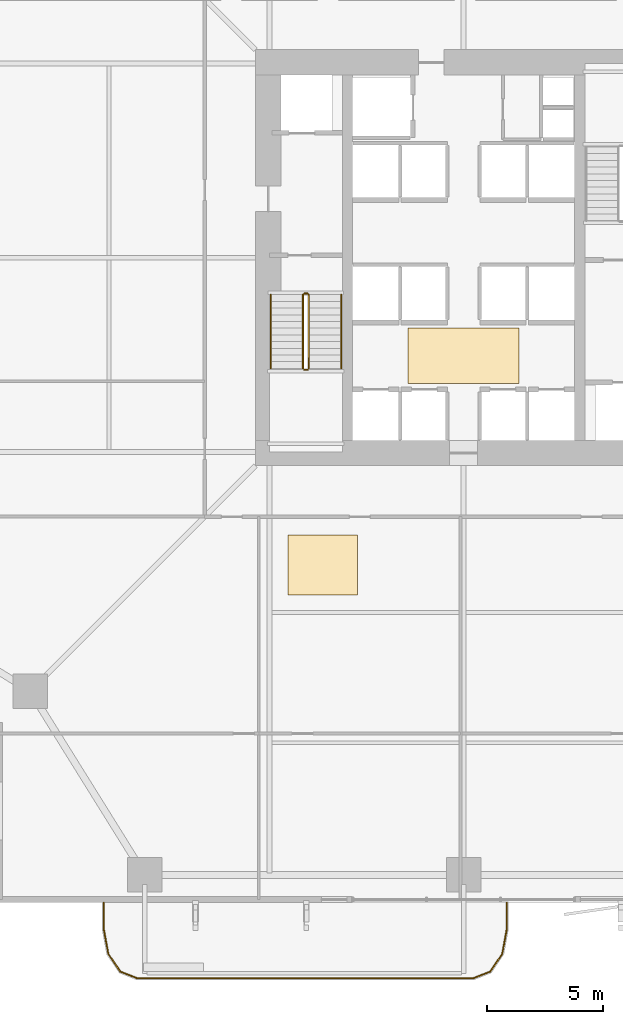
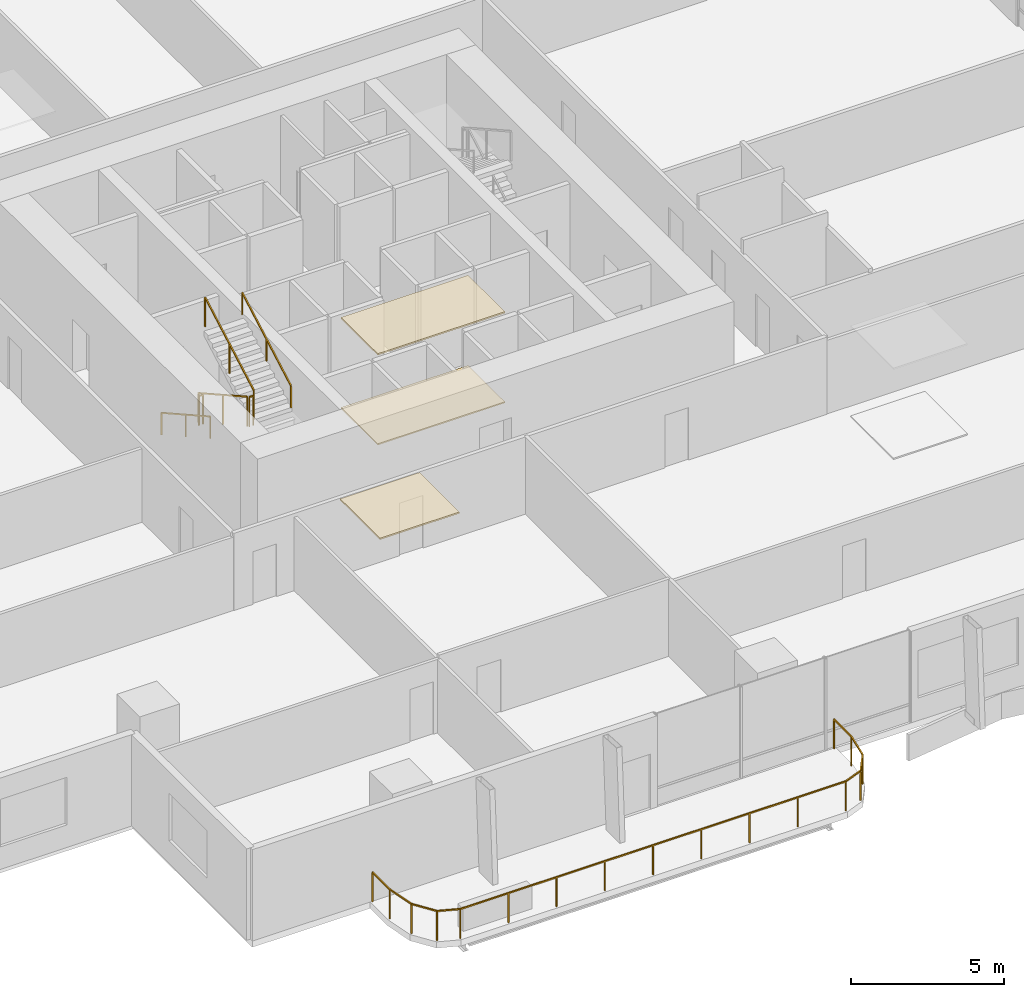
# One storey, part 21 of 23: 7 railings, 3 coverings.
"""IFC4 building model written with IfcOpenShell, lengths in metres."""

from ifc_helpers import new_model, si_unit, direction, frame, origin, origin_2d, place, context, subcontext, project, spatial, polyline, rectangle, outline, extrude, material, layer, layer_set, type_object, element, save


model = new_model("IFC4")

# Units and contexts
model_context = context("Model", 3, precision=1e-05, world=origin(), true_north=direction((0.0, 1.0)))
body_context = subcontext(model_context, "Body", "Model", "MODEL_VIEW")
ifc_project = project(units=[si_unit("LENGTHUNIT", "METRE"), si_unit("AREAUNIT", "SQUARE_METRE"), si_unit("VOLUMEUNIT", "CUBIC_METRE"), si_unit("PLANEANGLEUNIT", "RADIAN"), si_unit("MASSUNIT", "GRAM", prefix="KILO")], contexts=[model_context])

# Site, building, storey
site_placement = place(None, origin())
site = spatial("IfcSite", under=ifc_project, at=site_placement, CompositionType="ELEMENT")
building_placement = place(site_placement, origin())
building = spatial("IfcBuilding", under=site, at=building_placement, Name="Belovzor Exchange Tower", CompositionType="ELEMENT")
storey_placement = place(building_placement, frame((0.0, 0.0, 88.5)))
storey = spatial("IfcBuildingStorey", under=building, at=storey_placement, Name="L21", CompositionType="ELEMENT", Elevation=88.5)

# Railings
ifc_material_1 = material(Name="Stainless Steel Grade 304", Category="steel")
railing_type_1 = type_object("IfcRailingType", Name="Brushed Stainless Steel Stair Handrail 900", PredefinedType="HANDRAIL", material=ifc_material_1)
railing_1_placement = place(storey_placement, frame((20.449951171875, 27.199951171875, 0.16259765625)))
element("IfcRailing", 1, at=railing_1_placement, inside=storey, type_object=railing_type_1, Name="L21 ST-1 stair handrail 1", PredefinedType="HANDRAIL", context=body_context, shape_type="SweptSolid", body=[
    extrude(rectangle(XDim=0.048095703125, YDim=0.048095703125, at=origin_2d()), frame((0.0, 0.0, 0.8759765625), z_axis=(0.0, -0.872390997893, 0.488808701636), x_axis=(1.0, 0.0, 0.0)), (0.0, 0.0, 1.0), 3.656494140625),
    extrude(rectangle(XDim=0.0419921875, YDim=0.0419921875, at=origin_2d()), origin(), (0.0, 0.0, 1.0), 0.851806640625),
    extrude(rectangle(XDim=0.0419921875, YDim=0.0419921875, at=origin_2d()), frame((0.0, -1.594970703125, 0.8935546875)), (0.0, 0.0, 1.0), 0.851806640625),
    extrude(rectangle(XDim=0.0419921875, YDim=0.0419921875, at=origin_2d()), frame((0.0, -3.18994140625, 1.787353515625)), (0.0, 0.0, 1.0), 0.851806640625),
])
railing_2_placement = place(storey_placement, frame((23.5, 24.010009765625, 2.112548828125)))
element("IfcRailing", 2, at=railing_2_placement, inside=storey, type_object=railing_type_1, Name="L21 ST-1 stair handrail 2", PredefinedType="HANDRAIL", context=body_context, shape_type="SweptSolid", body=[
    extrude(rectangle(XDim=0.048095703125, YDim=0.048095703125, at=origin_2d()), frame((0.0, 0.0, 0.8759765625), z_axis=(0.0, 0.872390997893, 0.488808701636), x_axis=(-1.0, 0.0, 0.0)), (0.0, 0.0, 1.0), 3.656494140625),
    extrude(rectangle(XDim=0.0419921875, YDim=0.0419921875, at=origin_2d()), origin(), (0.0, 0.0, 1.0), 0.851806640625),
    extrude(rectangle(XDim=0.0419921875, YDim=0.0419921875, at=origin_2d()), frame((0.0, 1.594970703125, 0.8935546875)), (0.0, 0.0, 1.0), 0.851806640625),
    extrude(rectangle(XDim=0.0419921875, YDim=0.0419921875, at=origin_2d()), frame((0.0, 3.18994140625, 1.787353515625)), (0.0, 0.0, 1.0), 0.851806640625),
])
ifc_material_2 = material(Name="Stainless Steel and Laminated Safety Glass", Category="steel")
railing_type_2 = type_object("IfcRailingType", Name="Laminated Glass & Stainless Steel Balcony Balustrade 1200", PredefinedType="BALUSTRADE", material=ifc_material_2)
railing_3_placement = place(storey_placement, frame((13.22998046875, 0.889892578125, 0.0)))
element("IfcRailing", 3, at=railing_3_placement, inside=storey, type_object=railing_type_2, Name="GR-1 Balcony Balustrade L21 South", PredefinedType="BALUSTRADE", context=body_context, shape_type="SweptSolid", body=[
    extrude(rectangle(XDim=0.048095703125, YDim=0.048095703125, at=origin_2d()), frame((0.0, 0.0, 1.17578125), z_axis=(0.0, -1.0, 0.0), x_axis=(1.0, 0.0, 0.0)), (0.0, 0.0, 1.0), 1.1328125),
    extrude(rectangle(XDim=0.048095703125, YDim=0.048095703125, at=origin_2d()), frame((0.0, -1.1328125, 1.17578125), z_axis=(0.180083182347, -0.983651385113, 0.0), x_axis=(0.983651385113, 0.180083182347, 0.0)), (0.0, 0.0, 1.0), 1.093994140625),
    extrude(rectangle(XDim=0.048095703125, YDim=0.048095703125, at=origin_2d()), frame((0.197021484375, -2.208984375, 1.17578125), z_axis=(0.562768145367, -0.826614792125, 0.0), x_axis=(0.826614792125, 0.562768145367, 0.0)), (0.0, 0.0, 1.0), 0.9326171875),
    extrude(rectangle(XDim=0.048095703125, YDim=0.048095703125, at=origin_2d()), frame((0.721923828125, -2.97998046875, 1.17578125), z_axis=(0.930809580156, -0.365504480807, 0.0), x_axis=(0.365504480807, 0.930809580156, 0.0)), (0.0, 0.0, 1.0), 0.76611328125),
    extrude(rectangle(XDim=0.048095703125, YDim=0.048095703125, at=origin_2d()), frame((1.43505859375, -3.260009765625, 1.17578125), z_axis=(1.0, 0.0, 0.0), x_axis=(0.0, 1.0, 0.0)), (0.0, 0.0, 1.0), 14.570068359375),
    extrude(rectangle(XDim=0.048095703125, YDim=0.048095703125, at=origin_2d()), frame((16.005126953125, -3.260009765625, 1.17578125), z_axis=(0.930766990125, 0.365612923861, 0.0), x_axis=(-0.365612923861, 0.930766990125, 0.0)), (0.0, 0.0, 1.0), 0.765869140625),
    extrude(rectangle(XDim=0.048095703125, YDim=0.048095703125, at=origin_2d()), frame((16.718017578125, -2.97998046875, 1.17578125), z_axis=(0.562768145367, 0.826614792125, 0.0), x_axis=(-0.826614792125, 0.562768145367, 0.0)), (0.0, 0.0, 1.0), 0.9326171875),
    extrude(rectangle(XDim=0.048095703125, YDim=0.048095703125, at=origin_2d()), frame((17.242919921875, -2.208984375, 1.17578125), z_axis=(0.180083182347, 0.983651385113, 0.0), x_axis=(-0.983651385113, 0.180083182347, 0.0)), (0.0, 0.0, 1.0), 1.093994140625),
    extrude(rectangle(XDim=0.048095703125, YDim=0.048095703125, at=origin_2d()), frame((17.43994140625, -1.1328125, 1.17578125), z_axis=(0.0, 1.0, 0.0), x_axis=(-1.0, 0.0, 0.0)), (0.0, 0.0, 1.0), 1.1328125),
    extrude(rectangle(XDim=0.0419921875, YDim=0.0419921875, at=origin_2d()), origin(), (0.0, 0.0, 1.0), 1.15185546875),
    extrude(rectangle(XDim=0.0419921875, YDim=0.0419921875, at=origin_2d()), frame((0.0, -1.1328125, 0.0)), (0.0, 0.0, 1.0), 1.15185546875),
    extrude(rectangle(XDim=0.0419921875, YDim=0.0419921875, at=origin_2d()), frame((0.197021484375, -2.208984375, 0.0)), (0.0, 0.0, 1.0), 1.15185546875),
    extrude(rectangle(XDim=0.0419921875, YDim=0.0419921875, at=origin_2d()), frame((0.721923828125, -2.97998046875, 0.0)), (0.0, 0.0, 1.0), 1.15185546875),
    extrude(rectangle(XDim=0.0419921875, YDim=0.0419921875, at=origin_2d()), frame((1.43505859375, -3.260009765625, 0.0)), (0.0, 0.0, 1.0), 1.15185546875),
    extrude(rectangle(XDim=0.0419921875, YDim=0.0419921875, at=origin_2d()), frame((3.25634765625, -3.260009765625, 0.0)), (0.0, 0.0, 1.0), 1.15185546875),
    extrude(rectangle(XDim=0.0419921875, YDim=0.0419921875, at=origin_2d()), frame((5.07763671875, -3.260009765625, 0.0)), (0.0, 0.0, 1.0), 1.15185546875),
    extrude(rectangle(XDim=0.0419921875, YDim=0.0419921875, at=origin_2d()), frame((6.89892578125, -3.260009765625, 0.0)), (0.0, 0.0, 1.0), 1.15185546875),
    extrude(rectangle(XDim=0.0419921875, YDim=0.0419921875, at=origin_2d()), frame((8.72021484375, -3.260009765625, 0.0)), (0.0, 0.0, 1.0), 1.15185546875),
    extrude(rectangle(XDim=0.0419921875, YDim=0.0419921875, at=origin_2d()), frame((10.541259765625, -3.260009765625, 0.0)), (0.0, 0.0, 1.0), 1.15185546875),
    extrude(rectangle(XDim=0.0419921875, YDim=0.0419921875, at=origin_2d()), frame((12.362548828125, -3.260009765625, 0.0)), (0.0, 0.0, 1.0), 1.15185546875),
    extrude(rectangle(XDim=0.0419921875, YDim=0.0419921875, at=origin_2d()), frame((14.183837890625, -3.260009765625, 0.0)), (0.0, 0.0, 1.0), 1.15185546875),
    extrude(rectangle(XDim=0.0419921875, YDim=0.0419921875, at=origin_2d()), frame((16.005126953125, -3.260009765625, 0.0)), (0.0, 0.0, 1.0), 1.15185546875),
    extrude(rectangle(XDim=0.0419921875, YDim=0.0419921875, at=origin_2d()), frame((16.718017578125, -2.97998046875, 0.0)), (0.0, 0.0, 1.0), 1.15185546875),
    extrude(rectangle(XDim=0.0419921875, YDim=0.0419921875, at=origin_2d()), frame((17.242919921875, -2.208984375, 0.0)), (0.0, 0.0, 1.0), 1.15185546875),
    extrude(rectangle(XDim=0.0419921875, YDim=0.0419921875, at=origin_2d()), frame((17.43994140625, -1.1328125, 0.0)), (0.0, 0.0, 1.0), 1.15185546875),
    extrude(rectangle(XDim=0.0419921875, YDim=0.0419921875, at=origin_2d()), frame((17.43994140625, 0.0, 0.0)), (0.0, 0.0, 1.0), 1.15185546875),
])
ifc_material_3 = material(Name="Steel S355", Category="steel")
railing_type_3 = type_object("IfcRailingType", Name="Painted Steel Stairwell Guardrail 1200", PredefinedType="GUARDRAIL", material=ifc_material_3)
railing_4_placement = place(storey_placement, frame((21.85009765625, 27.199951171875, 0.16259765625)))
element("IfcRailing", 4, at=railing_4_placement, inside=storey, type_object=railing_type_3, Name="L21 ST-1 stair guard 1", PredefinedType="GUARDRAIL", context=body_context, shape_type="SweptSolid", body=[
    extrude(rectangle(XDim=0.048095703125, YDim=0.048095703125, at=origin_2d()), frame((0.0, 0.0, 1.17578125), z_axis=(0.0, -0.872390997893, 0.488808701636), x_axis=(1.0, 0.0, 0.0)), (0.0, 0.0, 1.0), 3.656494140625),
    extrude(rectangle(XDim=0.0419921875, YDim=0.0419921875, at=origin_2d()), origin(), (0.0, 0.0, 1.0), 1.15185546875),
    extrude(rectangle(XDim=0.0419921875, YDim=0.0419921875, at=origin_2d()), frame((0.0, -1.594970703125, 0.8935546875)), (0.0, 0.0, 1.0), 1.15185546875),
    extrude(rectangle(XDim=0.0419921875, YDim=0.0419921875, at=origin_2d()), frame((0.0, -3.18994140625, 1.787353515625)), (0.0, 0.0, 1.0), 1.15185546875),
])
railing_5_placement = place(storey_placement, frame((21.89990234375, 23.9599609375, 1.949951171875)))
element("IfcRailing", 5, at=railing_5_placement, inside=storey, type_object=railing_type_3, Name="L21 ST-1 stair guard 2", PredefinedType="GUARDRAIL", context=body_context, shape_type="SweptSolid", body=[
    extrude(rectangle(XDim=0.048095703125, YDim=0.048095703125, at=origin_2d()), frame((0.0, 0.0, 1.17578125), z_axis=(1.0, 0.0, 0.0), x_axis=(0.0, 1.0, 0.0)), (0.0, 0.0, 1.0), 0.150146484375),
    extrude(rectangle(XDim=0.0419921875, YDim=0.0419921875, at=origin_2d()), origin(), (0.0, 0.0, 1.0), 1.15185546875),
    extrude(rectangle(XDim=0.0419921875, YDim=0.0419921875, at=origin_2d()), frame((0.150146484375, 0.0, 0.0)), (0.0, 0.0, 1.0), 1.15185546875),
])
railing_6_placement = place(storey_placement, frame((22.10009765625, 24.010009765625, 2.112548828125)))
element("IfcRailing", 6, at=railing_6_placement, inside=storey, type_object=railing_type_3, Name="L21 ST-1 stair guard 3", PredefinedType="GUARDRAIL", context=body_context, shape_type="SweptSolid", body=[
    extrude(rectangle(XDim=0.048095703125, YDim=0.048095703125, at=origin_2d()), frame((0.0, 0.0, 1.17578125), z_axis=(0.0, 0.872390997893, 0.488808701636), x_axis=(-1.0, 0.0, 0.0)), (0.0, 0.0, 1.0), 3.656494140625),
    extrude(rectangle(XDim=0.0419921875, YDim=0.0419921875, at=origin_2d()), origin(), (0.0, 0.0, 1.0), 1.15185546875),
    extrude(rectangle(XDim=0.0419921875, YDim=0.0419921875, at=origin_2d()), frame((0.0, 1.594970703125, 0.8935546875)), (0.0, 0.0, 1.0), 1.15185546875),
    extrude(rectangle(XDim=0.0419921875, YDim=0.0419921875, at=origin_2d()), frame((0.0, 3.18994140625, 1.787353515625)), (0.0, 0.0, 1.0), 1.15185546875),
])
railing_7_placement = place(storey_placement, frame((21.89990234375, 27.25, 0.0)))
element("IfcRailing", 7, at=railing_7_placement, inside=storey, type_object=railing_type_3, Name="L21 ST-1 stair guard 4", PredefinedType="GUARDRAIL", context=body_context, shape_type="SweptSolid", body=[
    extrude(rectangle(XDim=0.048095703125, YDim=0.048095703125, at=origin_2d()), frame((0.0, 0.0, 1.17578125), z_axis=(1.0, 0.0, 0.0), x_axis=(0.0, 1.0, 0.0)), (0.0, 0.0, 1.0), 0.150146484375),
    extrude(rectangle(XDim=0.0419921875, YDim=0.0419921875, at=origin_2d()), origin(), (0.0, 0.0, 1.0), 1.15185546875),
    extrude(rectangle(XDim=0.0419921875, YDim=0.0419921875, at=origin_2d()), frame((0.150146484375, 0.0, 0.0)), (0.0, 0.0, 1.0), 1.15185546875),
])

# Coverings
ifc_material_4 = material(Name="Perforated Powder-Coated Aluminium", Category="aluminium")
ifc_layer_1 = layer(ifc_material_4, 0.06005859375)
ifc_layer_set_1 = layer_set([ifc_layer_1], Name="Perforated Powder-Coated Aluminium")
covering_type_1 = type_object("IfcCoveringType", Name="Perforated Acoustic Metal Tile Suspended Ceiling 60", PredefinedType="CEILING", material=ifc_layer_set_1)
covering_1_placement = place(storey_placement, frame((0.0, 0.0, 3.590087890625)))
element("IfcCovering", 8, at=covering_1_placement, inside=storey, type_object=covering_type_1, Name="CLG-AC60 Suspended Ceiling CLG-L21-LOB", PredefinedType="CEILING", context=body_context, shape_type="SweptSolid", body=[
    extrude(outline(polyline([(26.39990234375, 23.35009765625), (31.199951171875, 23.35009765625), (31.199951171875, 25.75), (26.39990234375, 25.75), (26.39990234375, 23.35009765625)])), origin(), (0.0, 0.0, 1.0), 0.059814453125),
])
covering_2_placement = place(storey_placement, frame((0.0, 0.0, 3.590087890625)))
element("IfcCovering", 9, at=covering_2_placement, inside=storey, type_object=covering_type_1, Name="CLG-AC60 Suspended Ceiling CLG-L21-Z0", PredefinedType="CEILING", context=body_context, shape_type="SweptSolid", body=[
    extrude(outline(polyline([(21.199951171875, 14.199951171875), (24.199951171875, 14.199951171875), (24.199951171875, 16.800048828125), (21.199951171875, 16.800048828125), (21.199951171875, 14.199951171875)])), origin(), (0.0, 0.0, 1.0), 0.059814453125),
])
ifc_material_5 = material(Name="Polished Natural Granite Tile", Category="masonry")
ifc_layer_2 = layer(ifc_material_5, 0.050048828125)
ifc_layer_set_2 = layer_set([ifc_layer_2], Name="Polished Natural Granite Tile")
covering_type_2 = type_object("IfcCoveringType", Name="Polished Karelian Granite & Raised Access Floor Finish 50", PredefinedType="FLOORING", material=ifc_layer_set_2)
covering_3_placement = place(storey_placement, origin())
element("IfcCovering", 10, at=covering_3_placement, inside=storey, type_object=covering_type_2, Name="FLR-GR50 Floor Finish FLR-L21-LOB", PredefinedType="FLOORING", context=body_context, shape_type="SweptSolid", body=[
    extrude(outline(polyline([(26.39990234375, 23.35009765625), (31.199951171875, 23.35009765625), (31.199951171875, 25.75), (26.39990234375, 25.75), (26.39990234375, 23.35009765625)])), origin(), (0.0, 0.0, 1.0), 0.050048828125),
])

save(model, "model.ifc")
